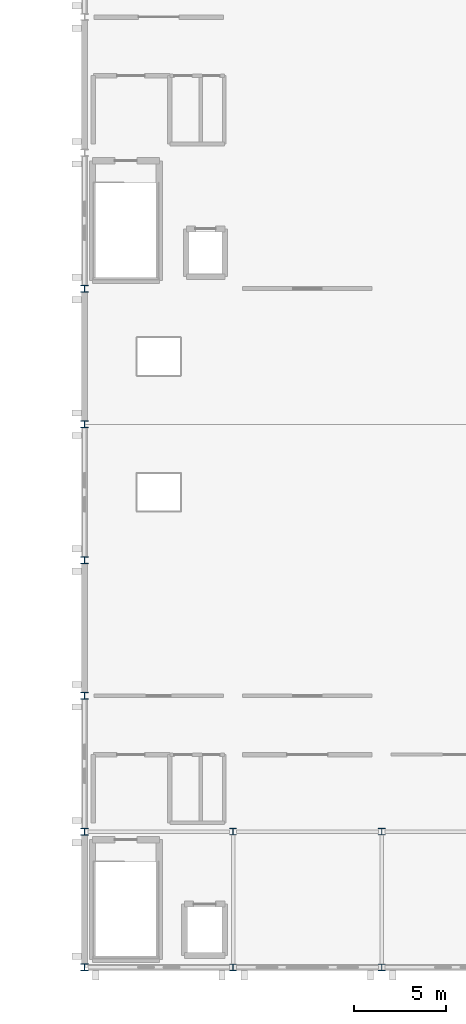
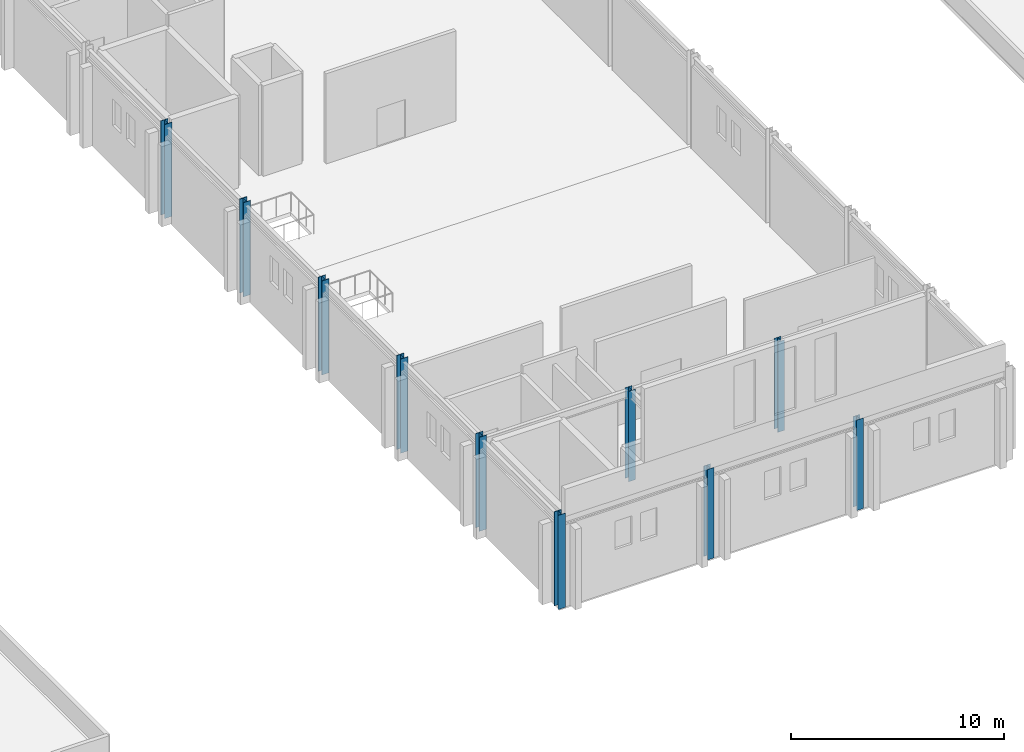
# One storey, part 1 of 10: 10 columns.
"""IFC4 building model written with IfcOpenShell, lengths in metres."""

from ifc_helpers import new_model, si_unit, direction, frame, origin, origin_2d, place, context, subcontext, project, spatial, i_section, extrude, material, material_profile, profile_set, type_object, element, save


model = new_model("IFC4")

# Units and contexts
model_context = context("Model", 3, precision=1e-05, world=origin(), true_north=direction((0.0, 1.0)))
body_context = subcontext(model_context, "Body", "Model", "MODEL_VIEW")
ifc_project = project(units=[si_unit("LENGTHUNIT", "METRE"), si_unit("AREAUNIT", "SQUARE_METRE"), si_unit("VOLUMEUNIT", "CUBIC_METRE"), si_unit("PLANEANGLEUNIT", "RADIAN"), si_unit("MASSUNIT", "GRAM", prefix="KILO")], contexts=[model_context])

# Site, building, storey
site_placement = place(None, origin())
site = spatial("IfcSite", under=ifc_project, at=site_placement, CompositionType="ELEMENT")
building_placement = place(site_placement, origin())
building = spatial("IfcBuilding", under=site, at=building_placement, Name="Cimatlan Art Gallery", CompositionType="ELEMENT")
storey_placement = place(building_placement, frame((0.0, 0.0, 21.0)))
storey = spatial("IfcBuildingStorey", under=building, at=storey_placement, Name="L05", CompositionType="ELEMENT", Elevation=21.0)

# Columns
ifc_material = material(Name="Steel ASTM A992 Grade 50", Category="steel")
ifc_material_profile_1 = material_profile(ifc_material, i_section(OverallWidth=0.39404296875, OverallDepth=0.3759765625, WebThickness=0.017333984375, FlangeThickness=0.027587890625, at=origin_2d()), Name="W14X145")
ifc_profile_set_1 = profile_set([ifc_material_profile_1], Name="Steel ASTM A992 Grade 50")
column_type_1 = type_object("IfcColumnType", Name="COL-STL-W14X145", PredefinedType="COLUMN", material=ifc_profile_set_1)
for number, where, z_axis, x_axis, name in (
    (1, (74.89990234375, 23.89990234375, 0.0), (0.0, 0.0, 1.0), (1.0, 0.0, 0.0), "COL-L05-09-03"),
    (2, (74.89990234375, 31.300048828125, 0.0), (0.0, 0.0, 1.0), (1.0, 0.0, 0.0), "COL-L05-09-04"),
    (3, (74.89990234375, 38.699951171875, 0.0), (0.0, 0.0, 1.0), (1.0, 0.0, 0.0), "COL-L05-09-05"),
    (4, (74.89990234375, 46.10009765625, 0.0), (0.0, 0.0, 1.0), (1.0, 0.0, 0.0), "COL-L05-09-06"),
    (5, (74.89990234375, 53.5, 0.0), (0.0, 0.0, 1.0), (1.0, 0.0, 0.0), "COL-L05-09-07"),
    (6, (74.89990234375, 60.89990234375, 0.0), (0.0, 0.0, 1.0), (1.0, 0.0, 0.0), "COL-L05-09-08"),
):
    element("IfcColumn", number, at=place(storey_placement, frame(where, z_axis=z_axis, x_axis=x_axis)), inside=storey, type_object=column_type_1, Name=name, PredefinedType="COLUMN", context=body_context, shape_type="SweptSolid", body=[
        extrude(i_section(OverallWidth=0.39404296875, OverallDepth=0.3759765625, WebThickness=0.017333984375, FlangeThickness=0.027587890625, at=origin_2d()), origin(), (0.0, 0.0, 1.0), 5.39990234375),
    ])
ifc_material_profile_2 = material_profile(ifc_material, i_section(OverallWidth=0.368896484375, OverallDepth=0.35595703125, WebThickness=0.01123046875, FlangeThickness=0.01806640625, at=origin_2d()), Name="W14X90")
ifc_profile_set_2 = profile_set([ifc_material_profile_2], Name="Steel ASTM A992 Grade 50")
column_type_2 = type_object("IfcColumnType", Name="COL-STL-W14X90", PredefinedType="COLUMN", material=ifc_profile_set_2)
for number, where, z_axis, x_axis, name in (
    (7, (83.0, 23.89990234375, 0.0), (0.0, 0.0, 1.0), (1.0, 0.0, 0.0), "COL-L05-10-03"),
    (8, (83.0, 31.300048828125, 0.0), (0.0, 0.0, 1.0), (1.0, 0.0, 0.0), "COL-L05-10-04"),
    (9, (91.10009765625, 23.89990234375, 0.0), (0.0, 0.0, 1.0), (1.0, 0.0, 0.0), "COL-L05-11-03"),
    (10, (91.10009765625, 31.300048828125, 0.0), (0.0, 0.0, 1.0), (1.0, 0.0, 0.0), "COL-L05-11-04"),
):
    element("IfcColumn", number, at=place(storey_placement, frame(where, z_axis=z_axis, x_axis=x_axis)), inside=storey, type_object=column_type_2, Name=name, PredefinedType="COLUMN", context=body_context, shape_type="SweptSolid", body=[
        extrude(i_section(OverallWidth=0.368896484375, OverallDepth=0.35595703125, WebThickness=0.01123046875, FlangeThickness=0.01806640625, at=origin_2d()), origin(), (0.0, 0.0, 1.0), 5.18994140625),
    ])

save(model, "model.ifc")
